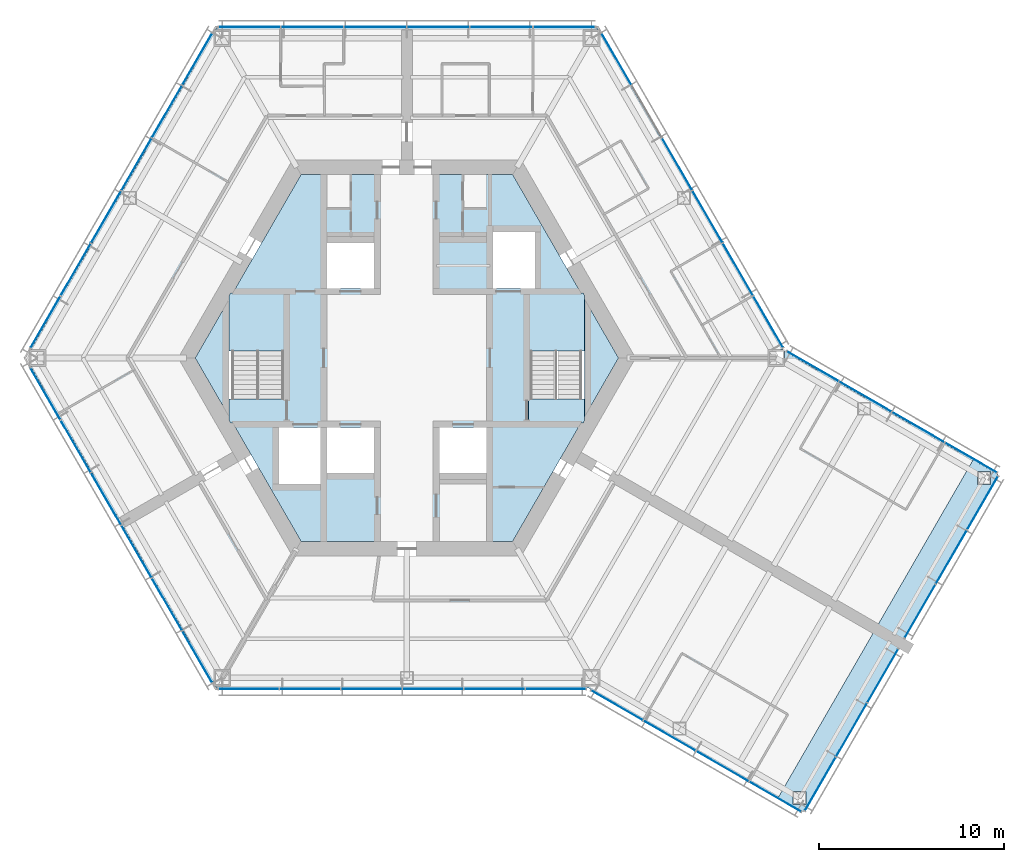
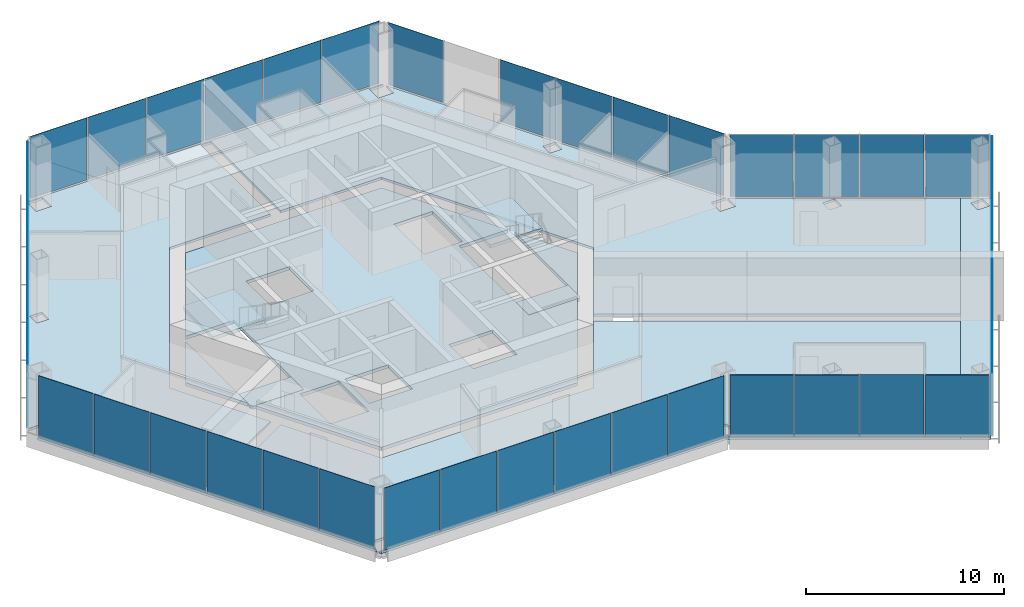
# One storey, part 8 of 15: 43 plates, 9 slabs, 11 elements without a shape of their own.
"""IFC4 building model written with IfcOpenShell, lengths in metres."""

from ifc_helpers import new_model, si_unit, direction, frame, origin, origin_2d, place, context, subcontext, project, spatial, polyline, rectangle, outline, extrude, material, layer, layer_set, type_object, element, aggregate, save


model = new_model("IFC4")

# Units and contexts
model_context = context("Model", 3, precision=1e-05, world=origin(), true_north=direction((0.0, 1.0)))
body_context = subcontext(model_context, "Body", "Model", "MODEL_VIEW")
ifc_project = project(units=[si_unit("LENGTHUNIT", "METRE"), si_unit("AREAUNIT", "SQUARE_METRE"), si_unit("VOLUMEUNIT", "CUBIC_METRE"), si_unit("PLANEANGLEUNIT", "RADIAN"), si_unit("MASSUNIT", "GRAM", prefix="KILO")], contexts=[model_context])

# Site, building, storey
site_placement = place(None, origin())
site = spatial("IfcSite", under=ifc_project, at=site_placement, CompositionType="ELEMENT")
building_placement = place(site_placement, origin())
building = spatial("IfcBuilding", under=site, at=building_placement, Name="Kasaneha Research Tower", CompositionType="ELEMENT")
storey_placement = place(building_placement, frame((0.0, 0.0, 212.800048828125)))
storey = spatial("IfcBuildingStorey", under=building, at=storey_placement, Name="L53", CompositionType="ELEMENT", Elevation=212.800048828125)

# Curtain wall, plates
ifc_material_1 = material(Name="Glass and aluminium", Category="aluminium")
curtain_wall_type = type_object("IfcCurtainWallType", Name="High-rise office curtain wall", PredefinedType="USERDEFINED", material=ifc_material_1)
curtain_wall_1_placement = place(storey_placement, origin())
curtain_wall_1 = element("IfcCurtainWall", 1, at=curtain_wall_1_placement, inside=storey, type_object=curtain_wall_type, Name="CW-O3 L53 run 01a", ObjectType="UNITISED CURTAIN WALL", PredefinedType="USERDEFINED")
ifc_material_2 = material(Name="Laminated double glazing", Category="glass")
ifc_layer_1 = layer(ifc_material_2, 0.02392578125)
ifc_layer_set_1 = layer_set([ifc_layer_1], Name="CW-O3 glazed panel")
plate_type = type_object("IfcPlateType", Name="CW-O3 glazed panel", PredefinedType="CURTAIN_PANEL", material=ifc_layer_set_1)
plate_1_placement = place(storey_placement, frame((19.559326171875, 1.963134765625, 0.06005859375), z_axis=(0.0, 0.0, 1.0), x_axis=(-0.499999979232, 0.866025415775, 0.0)))
plate_1 = element("IfcPlate", 2, at=plate_1_placement, type_object=plate_type, Name="CW-O3 panel 1", PredefinedType="CURTAIN_PANEL", context=body_context, shape_type="SweptSolid", body=[
    extrude(rectangle(XDim=3.199462890625, YDim=0.02392578125, at=origin_2d()), origin(), (0.0, 0.0, 1.0), 3.840087890625),
])
plate_2_placement = place(storey_placement, frame((17.922119140625, 4.799072265625, 0.06005859375), z_axis=(0.0, 0.0, 1.0), x_axis=(-0.499999979232, 0.866025415775, 0.0)))
plate_2 = element("IfcPlate", 3, at=plate_2_placement, type_object=plate_type, Name="CW-O3 panel 2", PredefinedType="CURTAIN_PANEL", context=body_context, shape_type="SweptSolid", body=[
    extrude(rectangle(XDim=3.2294921875, YDim=0.02392578125, at=origin_2d()), origin(), (0.0, 0.0, 1.0), 3.840087890625),
])
plate_3_placement = place(storey_placement, frame((16.27734375, 7.64794921875, 0.06005859375), z_axis=(0.0, 0.0, 1.0), x_axis=(-0.499999979232, 0.866025415775, 0.0)))
plate_3 = element("IfcPlate", 4, at=plate_3_placement, type_object=plate_type, Name="CW-O3 panel 3", PredefinedType="CURTAIN_PANEL", context=body_context, shape_type="SweptSolid", body=[
    extrude(rectangle(XDim=3.2294921875, YDim=0.02392578125, at=origin_2d()), origin(), (0.0, 0.0, 1.0), 3.840087890625),
])
plate_4_placement = place(storey_placement, frame((14.632568359375, 10.496826171875, 0.06005859375), z_axis=(0.0, 0.0, 1.0), x_axis=(-0.499999979232, 0.866025415775, 0.0)))
plate_4 = element("IfcPlate", 5, at=plate_4_placement, type_object=plate_type, Name="CW-O3 panel 4", PredefinedType="CURTAIN_PANEL", context=body_context, shape_type="SweptSolid", body=[
    extrude(rectangle(XDim=3.2294921875, YDim=0.02392578125, at=origin_2d()), origin(), (0.0, 0.0, 1.0), 3.840087890625),
])
plate_5_placement = place(storey_placement, frame((11.3505859375, 16.181396484375, 0.06005859375), z_axis=(0.0, 0.0, 1.0), x_axis=(-0.499999979232, 0.866025415775, 0.0)))
plate_5 = element("IfcPlate", 6, at=plate_5_placement, type_object=plate_type, Name="CW-O3 panel 6", PredefinedType="CURTAIN_PANEL", context=body_context, shape_type="SweptSolid", body=[
    extrude(rectangle(XDim=3.199462890625, YDim=0.02392578125, at=origin_2d()), origin(), (0.0, 0.0, 1.0), 3.840087890625),
])
aggregate(curtain_wall_1, [plate_1, plate_2, plate_3, plate_4, plate_5])

curtain_wall_2_placement = place(storey_placement, origin())
curtain_wall_2 = element("IfcCurtainWall", 7, at=curtain_wall_2_placement, inside=storey, type_object=curtain_wall_type, Name="CW-O3 L53 run 02a", ObjectType="UNITISED CURTAIN WALL", PredefinedType="USERDEFINED")
plate_6_placement = place(storey_placement, frame((8.523681640625, 17.92041015625, 0.06005859375), z_axis=(0.0, 0.0, 1.0), x_axis=(-1.0, 0.0, 0.0)))
plate_6 = element("IfcPlate", 8, at=plate_6_placement, type_object=plate_type, Name="CW-O3 panel 1", PredefinedType="CURTAIN_PANEL", context=body_context, shape_type="SweptSolid", body=[
    extrude(rectangle(XDim=3.325439453125, YDim=0.02392578125, at=origin_2d()), origin(), (0.0, 0.0, 1.0), 3.840087890625),
])
plate_7_placement = place(storey_placement, frame((5.123291015625, 17.92041015625, 0.06005859375), z_axis=(0.0, 0.0, 1.0), x_axis=(-1.0, 0.0, 0.0)))
plate_7 = element("IfcPlate", 9, at=plate_7_placement, type_object=plate_type, Name="CW-O3 panel 2", PredefinedType="CURTAIN_PANEL", context=body_context, shape_type="SweptSolid", body=[
    extrude(rectangle(XDim=3.35546875, YDim=0.02392578125, at=origin_2d()), origin(), (0.0, 0.0, 1.0), 3.840087890625),
])
plate_8_placement = place(storey_placement, frame((1.707763671875, 17.92041015625, 0.06005859375), z_axis=(0.0, 0.0, 1.0), x_axis=(-1.0, 0.0, 0.0)))
plate_8 = element("IfcPlate", 10, at=plate_8_placement, type_object=plate_type, Name="CW-O3 panel 3", PredefinedType="CURTAIN_PANEL", context=body_context, shape_type="SweptSolid", body=[
    extrude(rectangle(XDim=3.35546875, YDim=0.02392578125, at=origin_2d()), origin(), (0.0, 0.0, 1.0), 3.840087890625),
])
plate_9_placement = place(storey_placement, frame((-1.707763671875, 17.92041015625, 0.06005859375), z_axis=(0.0, 0.0, 1.0), x_axis=(-1.0, 0.0, 0.0)))
plate_9 = element("IfcPlate", 11, at=plate_9_placement, type_object=plate_type, Name="CW-O3 panel 4", PredefinedType="CURTAIN_PANEL", context=body_context, shape_type="SweptSolid", body=[
    extrude(rectangle(XDim=3.35546875, YDim=0.02392578125, at=origin_2d()), origin(), (0.0, 0.0, 1.0), 3.840087890625),
])
plate_10_placement = place(storey_placement, frame((-5.123291015625, 17.92041015625, 0.06005859375), z_axis=(0.0, 0.0, 1.0), x_axis=(-1.0, 0.0, 0.0)))
plate_10 = element("IfcPlate", 12, at=plate_10_placement, type_object=plate_type, Name="CW-O3 panel 5", PredefinedType="CURTAIN_PANEL", context=body_context, shape_type="SweptSolid", body=[
    extrude(rectangle(XDim=3.35546875, YDim=0.02392578125, at=origin_2d()), origin(), (0.0, 0.0, 1.0), 3.840087890625),
])
plate_11_placement = place(storey_placement, frame((-8.523681640625, 17.92041015625, 0.06005859375), z_axis=(0.0, 0.0, 1.0), x_axis=(-1.0, 0.0, 0.0)))
plate_11 = element("IfcPlate", 13, at=plate_11_placement, type_object=plate_type, Name="CW-O3 panel 6", PredefinedType="CURTAIN_PANEL", context=body_context, shape_type="SweptSolid", body=[
    extrude(rectangle(XDim=3.325439453125, YDim=0.02392578125, at=origin_2d()), origin(), (0.0, 0.0, 1.0), 3.840087890625),
])
aggregate(curtain_wall_2, [plate_6, plate_7, plate_8, plate_9, plate_10, plate_11])

curtain_wall_3_placement = place(storey_placement, origin())
curtain_wall_3 = element("IfcCurtainWall", 14, at=curtain_wall_3_placement, inside=storey, type_object=curtain_wall_type, Name="CW-O3 L53 run 03a", ObjectType="UNITISED CURTAIN WALL", PredefinedType="USERDEFINED")
plate_12_placement = place(storey_placement, frame((-11.3515625, 16.179443359375, 0.06005859375), z_axis=(0.0, 0.0, 1.0), x_axis=(-0.499999995722, -0.866025406254, 0.0)))
plate_12 = element("IfcPlate", 15, at=plate_12_placement, type_object=plate_type, Name="CW-O3 panel 1", PredefinedType="CURTAIN_PANEL", context=body_context, shape_type="SweptSolid", body=[
    extrude(rectangle(XDim=3.2041015625, YDim=0.02392578125, at=origin_2d()), origin(), (0.0, 0.0, 1.0), 3.840087890625),
])
plate_13_placement = place(storey_placement, frame((-12.9912109375, 13.339599609375, 0.06005859375), z_axis=(0.0, 0.0, 1.0), x_axis=(-0.499999995722, -0.866025406254, 0.0)))
plate_13 = element("IfcPlate", 16, at=plate_13_placement, type_object=plate_type, Name="CW-O3 panel 2", PredefinedType="CURTAIN_PANEL", context=body_context, shape_type="SweptSolid", body=[
    extrude(rectangle(XDim=3.234130859375, YDim=0.02392578125, at=origin_2d()), origin(), (0.0, 0.0, 1.0), 3.840087890625),
])
plate_14_placement = place(storey_placement, frame((-14.63818359375, 10.48681640625, 0.06005859375), z_axis=(0.0, 0.0, 1.0), x_axis=(-0.499999995722, -0.866025406254, 0.0)))
plate_14 = element("IfcPlate", 17, at=plate_14_placement, type_object=plate_type, Name="CW-O3 panel 3", PredefinedType="CURTAIN_PANEL", context=body_context, shape_type="SweptSolid", body=[
    extrude(rectangle(XDim=3.234130859375, YDim=0.02392578125, at=origin_2d()), origin(), (0.0, 0.0, 1.0), 3.840087890625),
])
plate_15_placement = place(storey_placement, frame((-16.28515625, 7.63427734375, 0.06005859375), z_axis=(0.0, 0.0, 1.0), x_axis=(-0.499999995722, -0.866025406254, 0.0)))
plate_15 = element("IfcPlate", 18, at=plate_15_placement, type_object=plate_type, Name="CW-O3 panel 4", PredefinedType="CURTAIN_PANEL", context=body_context, shape_type="SweptSolid", body=[
    extrude(rectangle(XDim=3.234130859375, YDim=0.02392578125, at=origin_2d()), origin(), (0.0, 0.0, 1.0), 3.840087890625),
])
plate_16_placement = place(storey_placement, frame((-17.932373046875, 4.781494140625, 0.06005859375), z_axis=(0.0, 0.0, 1.0), x_axis=(-0.499999995722, -0.866025406254, 0.0)))
plate_16 = element("IfcPlate", 19, at=plate_16_placement, type_object=plate_type, Name="CW-O3 panel 5", PredefinedType="CURTAIN_PANEL", context=body_context, shape_type="SweptSolid", body=[
    extrude(rectangle(XDim=3.234130859375, YDim=0.02392578125, at=origin_2d()), origin(), (0.0, 0.0, 1.0), 3.840087890625),
])
plate_17_placement = place(storey_placement, frame((-19.57177734375, 1.941650390625, 0.06005859375), z_axis=(0.0, 0.0, 1.0), x_axis=(-0.499999995722, -0.866025406254, 0.0)))
plate_17 = element("IfcPlate", 20, at=plate_17_placement, type_object=plate_type, Name="CW-O3 panel 6", PredefinedType="CURTAIN_PANEL", context=body_context, shape_type="SweptSolid", body=[
    extrude(rectangle(XDim=3.2041015625, YDim=0.02392578125, at=origin_2d()), origin(), (0.0, 0.0, 1.0), 3.840087890625),
])
aggregate(curtain_wall_3, [plate_12, plate_13, plate_14, plate_15, plate_16, plate_17])

curtain_wall_4_placement = place(storey_placement, origin())
curtain_wall_4 = element("IfcCurtainWall", 21, at=curtain_wall_4_placement, inside=storey, type_object=curtain_wall_type, Name="CW-O3 L53 run 04a", ObjectType="UNITISED CURTAIN WALL", PredefinedType="USERDEFINED")
plate_18_placement = place(storey_placement, frame((-19.57177734375, -1.941650390625, 0.06005859375), z_axis=(0.0, 0.0, 1.0), x_axis=(0.499999995722, -0.866025406254, 0.0)))
plate_18 = element("IfcPlate", 22, at=plate_18_placement, type_object=plate_type, Name="CW-O3 panel 1", PredefinedType="CURTAIN_PANEL", context=body_context, shape_type="SweptSolid", body=[
    extrude(rectangle(XDim=3.2041015625, YDim=0.02392578125, at=origin_2d()), origin(), (0.0, 0.0, 1.0), 3.840087890625),
])
plate_19_placement = place(storey_placement, frame((-17.932373046875, -4.781494140625, 0.06005859375), z_axis=(0.0, 0.0, 1.0), x_axis=(0.499999995722, -0.866025406254, 0.0)))
plate_19 = element("IfcPlate", 23, at=plate_19_placement, type_object=plate_type, Name="CW-O3 panel 2", PredefinedType="CURTAIN_PANEL", context=body_context, shape_type="SweptSolid", body=[
    extrude(rectangle(XDim=3.234130859375, YDim=0.02392578125, at=origin_2d()), origin(), (0.0, 0.0, 1.0), 3.840087890625),
])
plate_20_placement = place(storey_placement, frame((-16.28515625, -7.63427734375, 0.06005859375), z_axis=(0.0, 0.0, 1.0), x_axis=(0.499999995722, -0.866025406254, 0.0)))
plate_20 = element("IfcPlate", 24, at=plate_20_placement, type_object=plate_type, Name="CW-O3 panel 3", PredefinedType="CURTAIN_PANEL", context=body_context, shape_type="SweptSolid", body=[
    extrude(rectangle(XDim=3.234130859375, YDim=0.02392578125, at=origin_2d()), origin(), (0.0, 0.0, 1.0), 3.840087890625),
])
plate_21_placement = place(storey_placement, frame((-14.63818359375, -10.48681640625, 0.06005859375), z_axis=(0.0, 0.0, 1.0), x_axis=(0.499999995722, -0.866025406254, 0.0)))
plate_21 = element("IfcPlate", 25, at=plate_21_placement, type_object=plate_type, Name="CW-O3 panel 4", PredefinedType="CURTAIN_PANEL", context=body_context, shape_type="SweptSolid", body=[
    extrude(rectangle(XDim=3.234130859375, YDim=0.02392578125, at=origin_2d()), origin(), (0.0, 0.0, 1.0), 3.840087890625),
])
plate_22_placement = place(storey_placement, frame((-12.9912109375, -13.339599609375, 0.06005859375), z_axis=(0.0, 0.0, 1.0), x_axis=(0.499999995722, -0.866025406254, 0.0)))
plate_22 = element("IfcPlate", 26, at=plate_22_placement, type_object=plate_type, Name="CW-O3 panel 5", PredefinedType="CURTAIN_PANEL", context=body_context, shape_type="SweptSolid", body=[
    extrude(rectangle(XDim=3.234130859375, YDim=0.02392578125, at=origin_2d()), origin(), (0.0, 0.0, 1.0), 3.840087890625),
])
plate_23_placement = place(storey_placement, frame((-11.3515625, -16.179443359375, 0.06005859375), z_axis=(0.0, 0.0, 1.0), x_axis=(0.499999995722, -0.866025406254, 0.0)))
plate_23 = element("IfcPlate", 27, at=plate_23_placement, type_object=plate_type, Name="CW-O3 panel 6", PredefinedType="CURTAIN_PANEL", context=body_context, shape_type="SweptSolid", body=[
    extrude(rectangle(XDim=3.2041015625, YDim=0.02392578125, at=origin_2d()), origin(), (0.0, 0.0, 1.0), 3.840087890625),
])
aggregate(curtain_wall_4, [plate_18, plate_19, plate_20, plate_21, plate_22, plate_23])

curtain_wall_5_placement = place(storey_placement, origin())
curtain_wall_5 = element("IfcCurtainWall", 28, at=curtain_wall_5_placement, inside=storey, type_object=curtain_wall_type, Name="CW-O3 L53 run 05a", ObjectType="UNITISED CURTAIN WALL", PredefinedType="USERDEFINED")
plate_24_placement = place(storey_placement, frame((-8.56591796875, -17.92041015625, 0.06005859375), z_axis=(0.0, 0.0, 1.0), x_axis=(1.0, 0.0, 0.0)))
plate_24 = element("IfcPlate", 29, at=plate_24_placement, type_object=plate_type, Name="CW-O3 panel 1", PredefinedType="CURTAIN_PANEL", context=body_context, shape_type="SweptSolid", body=[
    extrude(rectangle(XDim=3.240966796875, YDim=0.02392578125, at=origin_2d()), origin(), (0.0, 0.0, 1.0), 3.840087890625),
])
plate_25_placement = place(storey_placement, frame((-5.25, -17.92041015625, 0.06005859375), z_axis=(0.0, 0.0, 1.0), x_axis=(1.0, 0.0, 0.0)))
plate_25 = element("IfcPlate", 30, at=plate_25_placement, type_object=plate_type, Name="CW-O3 panel 2", PredefinedType="CURTAIN_PANEL", context=body_context, shape_type="SweptSolid", body=[
    extrude(rectangle(XDim=3.27099609375, YDim=0.02392578125, at=origin_2d()), origin(), (0.0, 0.0, 1.0), 3.840087890625),
])
plate_26_placement = place(storey_placement, frame((-1.9189453125, -17.92041015625, 0.06005859375), z_axis=(0.0, 0.0, 1.0), x_axis=(1.0, 0.0, 0.0)))
plate_26 = element("IfcPlate", 31, at=plate_26_placement, type_object=plate_type, Name="CW-O3 panel 3", PredefinedType="CURTAIN_PANEL", context=body_context, shape_type="SweptSolid", body=[
    extrude(rectangle(XDim=3.27099609375, YDim=0.02392578125, at=origin_2d()), origin(), (0.0, 0.0, 1.0), 3.840087890625),
])
plate_27_placement = place(storey_placement, frame((1.411865234375, -17.92041015625, 0.06005859375), z_axis=(0.0, 0.0, 1.0), x_axis=(1.0, 0.0, 0.0)))
plate_27 = element("IfcPlate", 32, at=plate_27_placement, type_object=plate_type, Name="CW-O3 panel 4", PredefinedType="CURTAIN_PANEL", context=body_context, shape_type="SweptSolid", body=[
    extrude(rectangle(XDim=3.27099609375, YDim=0.02392578125, at=origin_2d()), origin(), (0.0, 0.0, 1.0), 3.840087890625),
])
plate_28_placement = place(storey_placement, frame((4.742919921875, -17.92041015625, 0.06005859375), z_axis=(0.0, 0.0, 1.0), x_axis=(1.0, 0.0, 0.0)))
plate_28 = element("IfcPlate", 33, at=plate_28_placement, type_object=plate_type, Name="CW-O3 panel 5", PredefinedType="CURTAIN_PANEL", context=body_context, shape_type="SweptSolid", body=[
    extrude(rectangle(XDim=3.27099609375, YDim=0.02392578125, at=origin_2d()), origin(), (0.0, 0.0, 1.0), 3.840087890625),
])
plate_29_placement = place(storey_placement, frame((8.058837890625, -17.92041015625, 0.06005859375), z_axis=(0.0, 0.0, 1.0), x_axis=(1.0, 0.0, 0.0)))
plate_29 = element("IfcPlate", 34, at=plate_29_placement, type_object=plate_type, Name="CW-O3 panel 6", PredefinedType="CURTAIN_PANEL", context=body_context, shape_type="SweptSolid", body=[
    extrude(rectangle(XDim=3.240966796875, YDim=0.02392578125, at=origin_2d()), origin(), (0.0, 0.0, 1.0), 3.840087890625),
])
aggregate(curtain_wall_5, [plate_24, plate_25, plate_26, plate_27, plate_28, plate_29])

curtain_wall_6_placement = place(storey_placement, origin())
curtain_wall_6 = element("IfcCurtainWall", 35, at=curtain_wall_6_placement, inside=storey, type_object=curtain_wall_type, Name="CW-O3 L53 run 06a", ObjectType="UNITISED CURTAIN WALL", PredefinedType="USERDEFINED")
plate_30_placement = place(storey_placement, frame((11.3720703125, -18.805419921875, 0.06005859375), z_axis=(0.0, 0.0, 1.0), x_axis=(0.866025411464, -0.499999986699, 0.0)))
plate_30 = element("IfcPlate", 36, at=plate_30_placement, type_object=plate_type, Name="CW-O3 panel 1", PredefinedType="CURTAIN_PANEL", context=body_context, shape_type="SweptSolid", body=[
    extrude(rectangle(XDim=3.2197265625, YDim=0.02392578125, at=origin_2d()), origin(), (0.0, 0.0, 1.0), 3.840087890625),
])
plate_31_placement = place(storey_placement, frame((14.225341796875, -20.452880859375, 0.06005859375), z_axis=(0.0, 0.0, 1.0), x_axis=(0.866025411464, -0.499999986699, 0.0)))
plate_31 = element("IfcPlate", 37, at=plate_31_placement, type_object=plate_type, Name="CW-O3 panel 2", PredefinedType="CURTAIN_PANEL", context=body_context, shape_type="SweptSolid", body=[
    extrude(rectangle(XDim=3.249755859375, YDim=0.02392578125, at=origin_2d()), origin(), (0.0, 0.0, 1.0), 3.840087890625),
])
plate_32_placement = place(storey_placement, frame((17.091796875, -22.107666015625, 0.06005859375), z_axis=(0.0, 0.0, 1.0), x_axis=(0.866025411464, -0.499999986699, 0.0)))
plate_32 = element("IfcPlate", 38, at=plate_32_placement, type_object=plate_type, Name="CW-O3 panel 3", PredefinedType="CURTAIN_PANEL", context=body_context, shape_type="SweptSolid", body=[
    extrude(rectangle(XDim=3.249755859375, YDim=0.02392578125, at=origin_2d()), origin(), (0.0, 0.0, 1.0), 3.840087890625),
])
plate_33_placement = place(storey_placement, frame((19.945068359375, -23.755126953125, 0.06005859375), z_axis=(0.0, 0.0, 1.0), x_axis=(0.866025411464, -0.499999986699, 0.0)))
plate_33 = element("IfcPlate", 39, at=plate_33_placement, type_object=plate_type, Name="CW-O3 panel 4", PredefinedType="CURTAIN_PANEL", context=body_context, shape_type="SweptSolid", body=[
    extrude(rectangle(XDim=3.2197265625, YDim=0.02392578125, at=origin_2d()), origin(), (0.0, 0.0, 1.0), 3.840087890625),
])
aggregate(curtain_wall_6, [plate_30, plate_31, plate_32, plate_33])

curtain_wall_7_placement = place(storey_placement, origin())
curtain_wall_7 = element("IfcCurtainWall", 40, at=curtain_wall_7_placement, inside=storey, type_object=curtain_wall_type, Name="CW-O3 L53 run 07a", ObjectType="UNITISED CURTAIN WALL", PredefinedType="USERDEFINED")
plate_34_placement = place(storey_placement, frame((22.385498046875, -23.068359375, 0.06005859375), z_axis=(0.0, 0.0, 1.0), x_axis=(0.500000011442, 0.866025397178, 0.0)))
plate_34 = element("IfcPlate", 41, at=plate_34_placement, type_object=plate_type, Name="CW-O3 panel 1", PredefinedType="CURTAIN_PANEL", context=body_context, shape_type="SweptSolid", body=[
    extrude(rectangle(XDim=3.31005859375, YDim=0.02392578125, at=origin_2d()), origin(), (0.0, 0.0, 1.0), 3.840087890625),
])
plate_35_placement = place(storey_placement, frame((24.077880859375, -20.13671875, 0.06005859375), z_axis=(0.0, 0.0, 1.0), x_axis=(0.500000011442, 0.866025397178, 0.0)))
plate_35 = element("IfcPlate", 42, at=plate_35_placement, type_object=plate_type, Name="CW-O3 panel 2", PredefinedType="CURTAIN_PANEL", context=body_context, shape_type="SweptSolid", body=[
    extrude(rectangle(XDim=3.340087890625, YDim=0.02392578125, at=origin_2d()), origin(), (0.0, 0.0, 1.0), 3.840087890625),
])
plate_36_placement = place(storey_placement, frame((25.7705078125, -17.205322265625, 0.06005859375), z_axis=(0.0, 0.0, 1.0), x_axis=(0.500000011442, 0.866025397178, 0.0)))
plate_36 = element("IfcPlate", 43, at=plate_36_placement, type_object=plate_type, Name="CW-O3 panel 3", PredefinedType="CURTAIN_PANEL", context=body_context, shape_type="SweptSolid", body=[
    extrude(rectangle(XDim=3.31005859375, YDim=0.02392578125, at=origin_2d()), origin(), (0.0, 0.0, 1.0), 3.840087890625),
])
aggregate(curtain_wall_7, [plate_34, plate_35, plate_36])

curtain_wall_8_placement = place(storey_placement, origin())
curtain_wall_8 = element("IfcCurtainWall", 44, at=curtain_wall_8_placement, inside=storey, type_object=curtain_wall_type, Name="CW-O3 L53 run 08a", ObjectType="UNITISED CURTAIN WALL", PredefinedType="USERDEFINED")
plate_37_placement = place(storey_placement, frame((27.785400390625, -13.71533203125, 0.06005859375), z_axis=(0.0, 0.0, 1.0), x_axis=(0.500000011442, 0.866025397178, 0.0)))
plate_37 = element("IfcPlate", 45, at=plate_37_placement, type_object=plate_type, Name="CW-O3 panel 1", PredefinedType="CURTAIN_PANEL", context=body_context, shape_type="SweptSolid", body=[
    extrude(rectangle(XDim=3.31005859375, YDim=0.02392578125, at=origin_2d()), origin(), (0.0, 0.0, 1.0), 3.840087890625),
])
plate_38_placement = place(storey_placement, frame((29.47802734375, -10.78369140625, 0.06005859375), z_axis=(0.0, 0.0, 1.0), x_axis=(0.500000011442, 0.866025397178, 0.0)))
plate_38 = element("IfcPlate", 46, at=plate_38_placement, type_object=plate_type, Name="CW-O3 panel 2", PredefinedType="CURTAIN_PANEL", context=body_context, shape_type="SweptSolid", body=[
    extrude(rectangle(XDim=3.340087890625, YDim=0.02392578125, at=origin_2d()), origin(), (0.0, 0.0, 1.0), 3.840087890625),
])
plate_39_placement = place(storey_placement, frame((31.17041015625, -7.852294921875, 0.06005859375), z_axis=(0.0, 0.0, 1.0), x_axis=(0.500000011442, 0.866025397178, 0.0)))
plate_39 = element("IfcPlate", 47, at=plate_39_placement, type_object=plate_type, Name="CW-O3 panel 3", PredefinedType="CURTAIN_PANEL", context=body_context, shape_type="SweptSolid", body=[
    extrude(rectangle(XDim=3.31005859375, YDim=0.02392578125, at=origin_2d()), origin(), (0.0, 0.0, 1.0), 3.840087890625),
])
aggregate(curtain_wall_8, [plate_37, plate_38, plate_39])

curtain_wall_9_placement = place(storey_placement, origin())
curtain_wall_9 = element("IfcCurtainWall", 48, at=curtain_wall_9_placement, inside=storey, type_object=curtain_wall_type, Name="CW-O3 L53 run 09a", ObjectType="UNITISED CURTAIN WALL", PredefinedType="USERDEFINED")
plate_40_placement = place(storey_placement, frame((30.545166015625, -5.3955078125, 0.06005859375), z_axis=(0.0, 0.0, 1.0), x_axis=(-0.866025411464, 0.499999986699, 0.0)))
plate_40 = element("IfcPlate", 49, at=plate_40_placement, type_object=plate_type, Name="CW-O3 panel 1", PredefinedType="CURTAIN_PANEL", context=body_context, shape_type="SweptSolid", body=[
    extrude(rectangle(XDim=3.2197265625, YDim=0.02392578125, at=origin_2d()), origin(), (0.0, 0.0, 1.0), 3.840087890625),
])
plate_41_placement = place(storey_placement, frame((27.69189453125, -3.748046875, 0.06005859375), z_axis=(0.0, 0.0, 1.0), x_axis=(-0.866025411464, 0.499999986699, 0.0)))
plate_41 = element("IfcPlate", 50, at=plate_41_placement, type_object=plate_type, Name="CW-O3 panel 2", PredefinedType="CURTAIN_PANEL", context=body_context, shape_type="SweptSolid", body=[
    extrude(rectangle(XDim=3.249755859375, YDim=0.02392578125, at=origin_2d()), origin(), (0.0, 0.0, 1.0), 3.840087890625),
])
plate_42_placement = place(storey_placement, frame((24.825439453125, -2.093017578125, 0.06005859375), z_axis=(0.0, 0.0, 1.0), x_axis=(-0.866025411464, 0.499999986699, 0.0)))
plate_42 = element("IfcPlate", 51, at=plate_42_placement, type_object=plate_type, Name="CW-O3 panel 3", PredefinedType="CURTAIN_PANEL", context=body_context, shape_type="SweptSolid", body=[
    extrude(rectangle(XDim=3.249755859375, YDim=0.02392578125, at=origin_2d()), origin(), (0.0, 0.0, 1.0), 3.840087890625),
])
plate_43_placement = place(storey_placement, frame((21.971923828125, -0.44580078125, 0.06005859375), z_axis=(0.0, 0.0, 1.0), x_axis=(-0.866025411464, 0.499999986699, 0.0)))
plate_43 = element("IfcPlate", 52, at=plate_43_placement, type_object=plate_type, Name="CW-O3 panel 4", PredefinedType="CURTAIN_PANEL", context=body_context, shape_type="SweptSolid", body=[
    extrude(rectangle(XDim=3.2197265625, YDim=0.02392578125, at=origin_2d()), origin(), (0.0, 0.0, 1.0), 3.840087890625),
])
aggregate(curtain_wall_9, [plate_40, plate_41, plate_42, plate_43])

# Slabs
ifc_material_3 = material(Name="Concrete Fc24", Category="concrete")
ifc_layer_2 = layer(ifc_material_3, 0.199951171875)
ifc_layer_set_2 = layer_set([ifc_layer_2], Name="Core floor slab 200")
slab_type_1 = type_object("IfcSlabType", Name="Core floor slab 200", PredefinedType="FLOOR", material=ifc_layer_set_2)
slab_1_placement = place(storey_placement, frame((0.0, 0.0, -0.199951171875)))
element("IfcSlab", 53, at=slab_1_placement, inside=storey, type_object=slab_type_1, Name="Core slab L53", PredefinedType="FLOOR", context=body_context, shape_type="SweptSolid", body=[
    extrude(outline(polyline([(-11.46044921875, 0.0), (-9.625, 3.178955078125), (-9.625, -3.178955078125), (-11.46044921875, 0.0)])), origin(), (0.0, 0.0, 1.0), 0.199951171875),
])
slab_2_placement = place(storey_placement, frame((0.0, 0.0, -0.199951171875)))
element("IfcSlab", 54, at=slab_2_placement, inside=storey, type_object=slab_type_1, Name="Core slab L53", PredefinedType="FLOOR", context=body_context, shape_type="SweptSolid", body=[
    extrude(outline(polyline([(-5.730224609375, 9.925048828125), (5.730224609375, 9.925048828125), (9.42529296875, 3.52490234375), (6.574951171875, 3.52490234375), (6.574951171875, -3.52490234375), (9.42529296875, -3.52490234375), (5.730224609375, -9.925048828125), (-5.730224609375, -9.925048828125), (-9.42529296875, -3.52490234375), (-6.574951171875, -3.52490234375), (-6.574951171875, 3.52490234375), (-9.42529296875, 3.52490234375), (-5.730224609375, 9.925048828125)]), holes=[polyline([(-6.925048828125, -6.824951171875), (-4.675048828125, -6.824951171875), (-4.675048828125, -3.77490234375), (-6.925048828125, -3.77490234375), (-6.925048828125, -6.824951171875)]), polyline([(-4.324951171875, -3.77490234375), (-4.324951171875, -6.22509765625), (-1.77490234375, -6.22509765625), (-1.77490234375, -3.77490234375), (-4.324951171875, -3.77490234375)]), polyline([(1.77490234375, -3.77490234375), (1.77490234375, -6.22509765625), (4.324951171875, -6.22509765625), (4.324951171875, -3.77490234375), (1.77490234375, -3.77490234375)]), polyline([(-4.324951171875, 6.22509765625), (-4.324951171875, 3.77490234375), (-1.77490234375, 3.77490234375), (-1.77490234375, 6.22509765625), (-4.324951171875, 6.22509765625)]), polyline([(4.675048828125, 6.824951171875), (4.675048828125, 3.77490234375), (6.925048828125, 3.77490234375), (6.925048828125, 6.824951171875), (4.675048828125, 6.824951171875)])]), origin(), (0.0, 0.0, 1.0), 0.199951171875),
])
slab_3_placement = place(storey_placement, frame((0.0, 0.0, -0.199951171875)))
element("IfcSlab", 55, at=slab_3_placement, inside=storey, type_object=slab_type_1, Name="Core slab L53", PredefinedType="FLOOR", context=body_context, shape_type="SweptSolid", body=[
    extrude(outline(polyline([(11.46044921875, 0.0), (9.625, -3.178955078125), (9.625, 3.178955078125), (11.46044921875, 0.0)])), origin(), (0.0, 0.0, 1.0), 0.199951171875),
])
ifc_material_4 = material(Name="Concrete Fc24", Category="concrete")
ifc_layer_3 = layer(ifc_material_4, 0.14990234375)
ifc_layer_set_3 = layer_set([ifc_layer_3], Name="Floor slab 150")
slab_type_2 = type_object("IfcSlabType", Name="Floor slab 150", PredefinedType="FLOOR", material=ifc_layer_set_3)
slab_4_placement = place(storey_placement, frame((0.0, 0.0, -0.150146484375)))
element("IfcSlab", 56, at=slab_4_placement, inside=storey, type_object=slab_type_2, Name="Floor slab L53 1", PredefinedType="FLOOR", context=body_context, shape_type="SweptSolid", body=[
    extrude(outline(polyline([(9.8525390625, -17.87060546875), (-10.317626953125, -17.87060546875), (-10.375244140625, -17.7705078125), (-9.550048828125, -17.7705078125), (-9.550048828125, -16.87060546875), (-10.449951171875, -16.87060546875), (-10.449951171875, -17.64111328125), (-20.375244140625, -0.449951171875), (-19.550048828125, -0.449951171875), (-19.550048828125, 0.449951171875), (-20.375244140625, 0.449951171875), (-10.449951171875, 17.64111328125), (-10.449951171875, 16.87060546875), (-9.550048828125, 16.87060546875), (-9.550048828125, 17.7705078125), (-10.375244140625, 17.7705078125), (-10.317626953125, 17.87060546875), (10.317626953125, 17.87060546875), (10.375244140625, 17.7705078125), (9.550048828125, 17.7705078125), (9.550048828125, 16.87060546875), (10.449951171875, 16.87060546875), (10.449951171875, 17.64111328125), (20.375244140625, 0.449951171875), (19.550048828125, 0.449951171875), (19.550048828125, -0.449951171875), (20.449951171875, -0.449951171875), (20.449951171875, 0.375244140625), (30.65869140625, -5.518798828125), (25.53369140625, -14.3955078125), (9.438232421875, -5.102783203125), (12.38427734375, 0.0), (6.192138671875, 10.72509765625), (0.300048828125, 10.72509765625), (0.300048828125, 17.7705078125), (-0.300048828125, 17.7705078125), (-0.300048828125, 10.72509765625), (-6.192138671875, 10.72509765625), (-12.38427734375, 0.0), (-9.438232421875, -5.102783203125), (-15.539794921875, -8.62548828125), (-15.23974609375, -9.14501953125), (-9.13818359375, -5.622314453125), (-6.192138671875, -10.72509765625), (6.192138671875, -10.72509765625), (9.13818359375, -5.622314453125), (25.233642578125, -14.9150390625), (20.108642578125, -23.791748046875), (9.8525390625, -17.87060546875)]), holes=[polyline([(-0.35009765625, -16.970458984375), (-0.35009765625, -17.67041015625), (0.35009765625, -17.67041015625), (0.35009765625, -16.970458984375), (-0.35009765625, -16.970458984375)]), polyline([(-15.35009765625, 9.01025390625), (-15.35009765625, 8.310302734375), (-14.64990234375, 8.310302734375), (-14.64990234375, 9.01025390625), (-15.35009765625, 9.01025390625)]), polyline([(14.4130859375, -19.720458984375), (14.4130859375, -20.42041015625), (15.113037109375, -20.42041015625), (15.113037109375, -19.720458984375), (14.4130859375, -19.720458984375)]), polyline([(9.550048828125, -16.87060546875), (9.550048828125, -17.7705078125), (10.449951171875, -17.7705078125), (10.449951171875, -16.87060546875), (9.550048828125, -16.87060546875)]), polyline([(24.4130859375, -2.39990234375), (24.4130859375, -3.10009765625), (25.113037109375, -3.10009765625), (25.113037109375, -2.39990234375), (24.4130859375, -2.39990234375)]), polyline([(15.35009765625, 9.01025390625), (14.64990234375, 9.01025390625), (14.64990234375, 8.310302734375), (15.35009765625, 8.310302734375), (15.35009765625, 9.01025390625)])]), origin(), (0.0, 0.0, 1.0), 0.150146484375),
])
slab_5_placement = place(storey_placement, frame((0.0, 0.0, -0.150146484375)))
element("IfcSlab", 57, at=slab_5_placement, inside=storey, type_object=slab_type_2, Name="Floor slab L53 2", PredefinedType="FLOOR", context=body_context, shape_type="SweptSolid", body=[
    extrude(outline(polyline([(20.108642578125, -23.791748046875), (25.233642578125, -14.9150390625), (25.2421875, -14.920166015625), (25.542236328125, -14.400390625), (25.53369140625, -14.3955078125), (30.65869140625, -5.518798828125), (32.009521484375, -6.298583984375), (21.459716796875, -24.57177734375), (20.108642578125, -23.791748046875)]), holes=[polyline([(20.908447265625, -23.470458984375), (20.908447265625, -24.17041015625), (21.6083984375, -24.17041015625), (21.6083984375, -23.470458984375), (20.908447265625, -23.470458984375)]), polyline([(30.908447265625, -6.14990234375), (30.908447265625, -6.85009765625), (31.6083984375, -6.85009765625), (31.6083984375, -6.14990234375), (30.908447265625, -6.14990234375)])]), origin(), (0.0, 0.0, 1.0), 0.150146484375),
])

# Stair, slabs
ifc_material_5 = material(Name="Concrete Fc24", Category="concrete")
stair_type = type_object("IfcStairType", Name="Half-turn stair 22 risers", PredefinedType="HALF_TURN_STAIR", material=ifc_material_5)
stair_1_placement = place(storey_placement, origin())
stair_1 = element("IfcStair", 58, at=stair_1_placement, inside=storey, type_object=stair_type, Name="Stair 1 L53", PredefinedType="HALF_TURN_STAIR")
ifc_material_6 = material(Name="Concrete Fc24", Category="concrete")
ifc_layer_4 = layer(ifc_material_6, 0.199951171875)
ifc_layer_set_4 = layer_set([ifc_layer_4], Name="Stair 1 landing 200")
slab_type_3 = type_object("IfcSlabType", Name="Stair 1 landing 200", PredefinedType="LANDING", material=ifc_layer_set_4)
slab_6_placement = place(storey_placement, frame((0.0, 0.0, -0.199951171875)))
slab_6 = element("IfcSlab", 59, at=slab_6_placement, type_object=slab_type_3, Name="ST1-22R landing 1", PredefinedType="LANDING", context=body_context, shape_type="SweptSolid", body=[
    extrude(outline(polyline([(9.540771484375, -3.52490234375), (6.574951171875, -3.52490234375), (6.574951171875, -2.22509765625), (9.625, -2.22509765625), (9.625, -3.37890625), (9.540771484375, -3.52490234375)])), origin(), (0.0, 0.0, 1.0), 0.199951171875),
])
slab_7_placement = place(storey_placement, frame((0.0, 0.0, 1.75)))
slab_7 = element("IfcSlab", 60, at=slab_7_placement, type_object=slab_type_3, Name="ST1-22R landing 2", PredefinedType="LANDING", context=body_context, shape_type="SweptSolid", body=[
    extrude(outline(polyline([(6.574951171875, 3.52490234375), (9.540771484375, 3.52490234375), (9.625, 3.37890625), (9.625, 0.375), (6.574951171875, 0.375), (6.574951171875, 3.52490234375)])), origin(), (0.0, 0.0, 1.0), 0.199951171875),
])
aggregate(stair_1, [slab_6, slab_7])

stair_2_placement = place(storey_placement, origin())
stair_2 = element("IfcStair", 61, at=stair_2_placement, inside=storey, type_object=stair_type, Name="Stair 2 L53", PredefinedType="HALF_TURN_STAIR")
ifc_material_7 = material(Name="Concrete Fc24", Category="concrete")
ifc_layer_5 = layer(ifc_material_7, 0.199951171875)
ifc_layer_set_5 = layer_set([ifc_layer_5], Name="Stair 2 landing 200")
slab_type_4 = type_object("IfcSlabType", Name="Stair 2 landing 200", PredefinedType="LANDING", material=ifc_layer_set_5)
slab_8_placement = place(storey_placement, frame((0.0, 0.0, -0.199951171875)))
slab_8 = element("IfcSlab", 62, at=slab_8_placement, type_object=slab_type_4, Name="ST2-22R landing 1", PredefinedType="LANDING", context=body_context, shape_type="SweptSolid", body=[
    extrude(outline(polyline([(-6.574951171875, -3.52490234375), (-9.540771484375, -3.52490234375), (-9.625, -3.37890625), (-9.625, -2.22509765625), (-6.574951171875, -2.22509765625), (-6.574951171875, -3.52490234375)])), origin(), (0.0, 0.0, 1.0), 0.199951171875),
])
slab_9_placement = place(storey_placement, frame((0.0, 0.0, 1.75)))
slab_9 = element("IfcSlab", 63, at=slab_9_placement, type_object=slab_type_4, Name="ST2-22R landing 2", PredefinedType="LANDING", context=body_context, shape_type="SweptSolid", body=[
    extrude(outline(polyline([(-6.574951171875, 0.375), (-9.625, 0.375), (-9.625, 3.37890625), (-9.540771484375, 3.52490234375), (-6.574951171875, 3.52490234375), (-6.574951171875, 0.375)])), origin(), (0.0, 0.0, 1.0), 0.199951171875),
])
aggregate(stair_2, [slab_8, slab_9])

save(model, "model.ifc")
